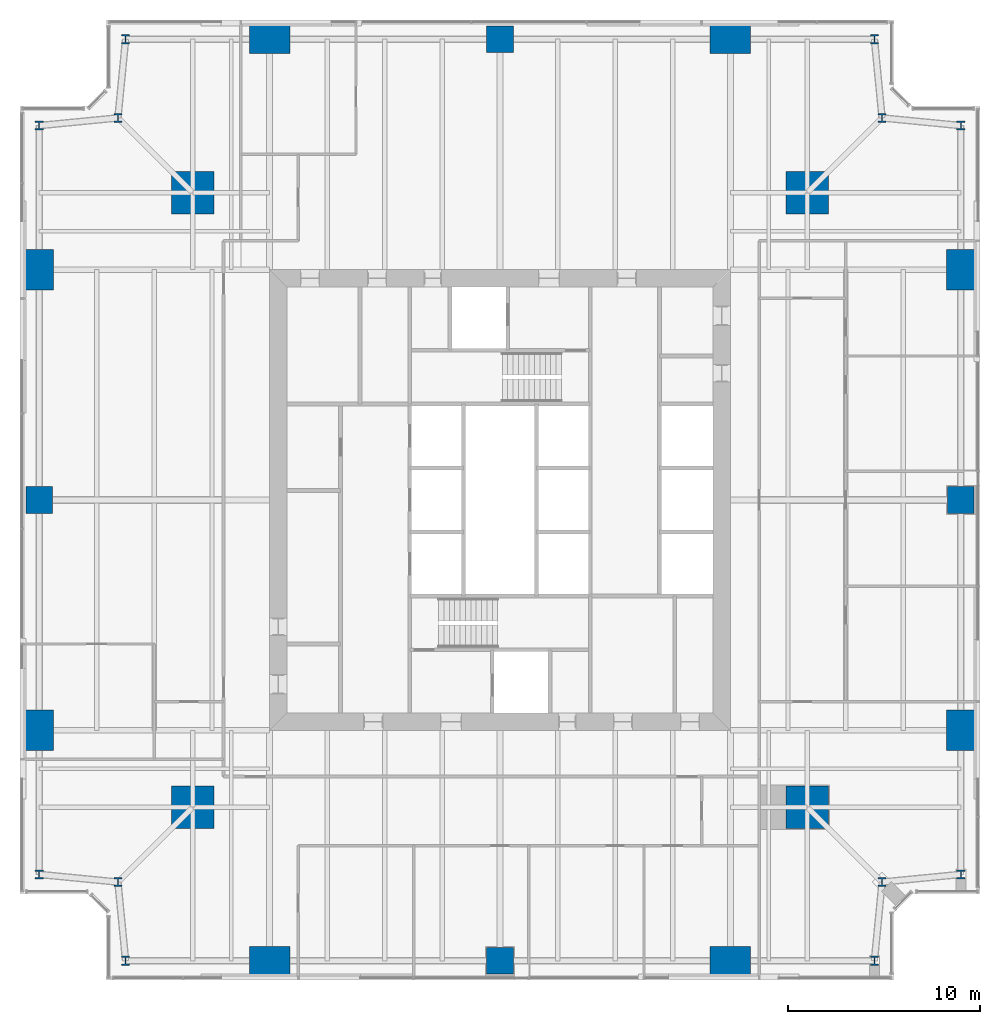
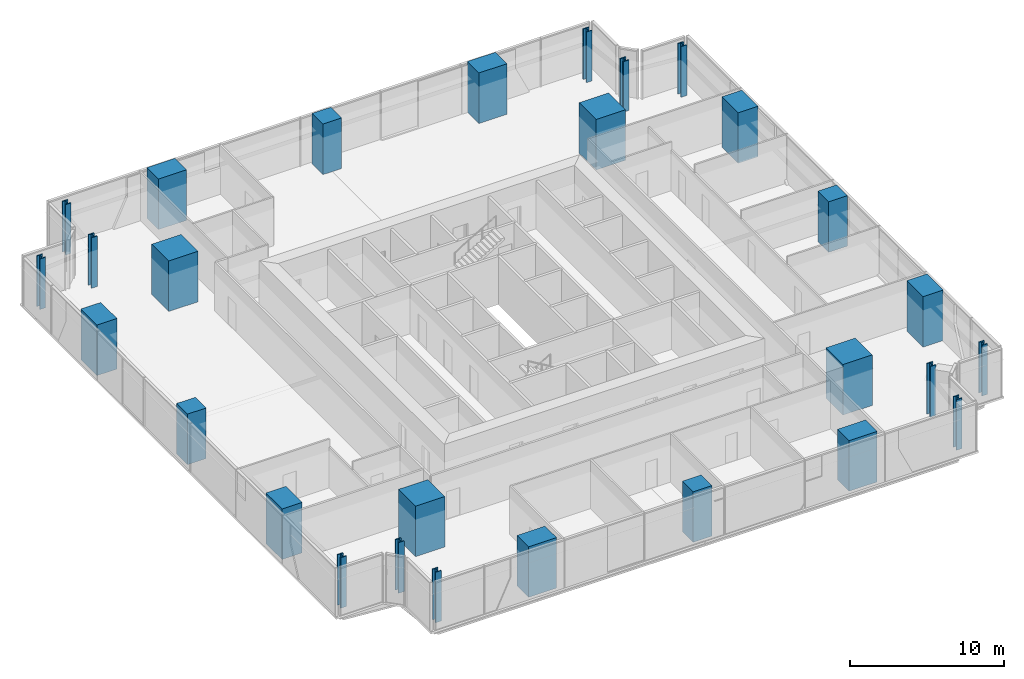
# One storey, part 1 of 13: 28 columns.
"""IFC4 building model written with IfcOpenShell, lengths in metres."""

from ifc_helpers import new_model, si_unit, direction, frame, origin, origin_2d, place, context, subcontext, project, spatial, rectangle, i_section, extrude, material, material_profile, profile_set, type_object, element, save


model = new_model("IFC4")

# Units and contexts
model_context = context("Model", 3, precision=1e-05, world=origin(), true_north=direction((0.0, 1.0)))
body_context = subcontext(model_context, "Body", "Model", "MODEL_VIEW")
ifc_project = project(units=[si_unit("LENGTHUNIT", "METRE"), si_unit("AREAUNIT", "SQUARE_METRE"), si_unit("VOLUMEUNIT", "CUBIC_METRE"), si_unit("PLANEANGLEUNIT", "RADIAN"), si_unit("MASSUNIT", "GRAM", prefix="KILO")], contexts=[model_context])

# Site, building, storey
site_placement = place(None, origin())
site = spatial("IfcSite", under=ifc_project, at=site_placement, CompositionType="ELEMENT")
building_placement = place(site_placement, origin())
building = spatial("IfcBuilding", under=site, at=building_placement, Name="Fenwick Lantern Interchange", CompositionType="ELEMENT")
storey_placement = place(building_placement, frame((0.0, 0.0, 126.39990234375)))
storey = spatial("IfcBuildingStorey", under=building, at=storey_placement, Name="L29", CompositionType="ELEMENT", Elevation=126.39990234375)

# Columns
ifc_material_1 = material(Name="Concrete f'c 70 MPa", Category="concrete")
ifc_material_profile_1 = material_profile(ifc_material_1, rectangle(XDim=2.199951171875, YDim=2.199951171875, at=origin_2d()), Name="RC2200X2200")
ifc_profile_set_1 = profile_set([ifc_material_profile_1], Name="Concrete f'c 70 MPa")
column_type_1 = type_object("IfcColumnType", Name="MEGA COLUMN RC2200X2200", PredefinedType="COLUMN", material=ifc_profile_set_1)
for number, where, z_axis, x_axis, name in (
    (1, (9.0, 9.0, 0.0), (0.0, 0.0, 1.0), (1.0, 0.0, 0.0), "L29/M1"),
    (2, (41.0, 9.0, 0.0), (0.0, 0.0, 1.0), (1.0, 0.0, 0.0), "L29/M2"),
    (3, (41.0, 41.0, 0.0), (0.0, 0.0, 1.0), (1.0, 0.0, 0.0), "L29/M3"),
    (4, (9.0, 41.0, 0.0), (0.0, 0.0, 1.0), (1.0, 0.0, 0.0), "L29/M4"),
):
    element("IfcColumn", number, at=place(storey_placement, frame(where, z_axis=z_axis, x_axis=x_axis)), inside=storey, type_object=column_type_1, Name=name, PredefinedType="COLUMN", context=body_context, shape_type="SweptSolid", body=[
        extrude(rectangle(XDim=2.199951171875, YDim=2.199951171875, at=origin_2d()), origin(), (0.0, 0.0, 1.0), 4.0),
    ])
ifc_material_profile_2 = material_profile(ifc_material_1, rectangle(XDim=1.39990234375, YDim=1.39990234375, at=origin_2d()), Name="RC1400X1400")
ifc_profile_set_2 = profile_set([ifc_material_profile_2], Name="Concrete f'c 70 MPa")
column_type_2 = type_object("IfcColumnType", Name="PERIMETER COLUMN RC1400X1400", PredefinedType="COLUMN", material=ifc_profile_set_2)
for number, where, z_axis, x_axis, name in (
    (5, (25.0, 1.0, 0.0), (0.0, 0.0, 1.0), (1.0, 0.0, 0.0), "L29/CS3"),
    (6, (49.0, 25.0, 0.0), (0.0, 0.0, 1.0), (1.0, 0.0, 0.0), "L29/CE3"),
    (7, (25.0, 49.0, 0.0), (0.0, 0.0, 1.0), (1.0, 0.0, 0.0), "L29/CN3"),
    (8, (1.0, 25.0, 0.0), (0.0, 0.0, 1.0), (1.0, 0.0, 0.0), "L29/CW3"),
):
    element("IfcColumn", number, at=place(storey_placement, frame(where, z_axis=z_axis, x_axis=x_axis)), inside=storey, type_object=column_type_2, Name=name, PredefinedType="COLUMN", context=body_context, shape_type="SweptSolid", body=[
        extrude(rectangle(XDim=1.39990234375, YDim=1.39990234375, at=origin_2d()), origin(), (0.0, 0.0, 1.0), 4.0),
    ])
ifc_material_profile_3 = material_profile(ifc_material_1, rectangle(XDim=1.5, YDim=2.10009765625, at=origin_2d()), Name="RC1500X2100")
ifc_profile_set_3 = profile_set([ifc_material_profile_3], Name="Concrete f'c 70 MPa")
column_type_3 = type_object("IfcColumnType", Name="PERIMETER COLUMN RC1500X2100", PredefinedType="COLUMN", material=ifc_profile_set_3)
for number, where, z_axis, x_axis, name in (
    (9, (49.0, 13.0, 0.0), (0.0, 0.0, 1.0), (1.0, 0.0, 0.0), "L29/CE2"),
    (10, (49.0, 37.0, 0.0), (0.0, 0.0, 1.0), (1.0, 0.0, 0.0), "L29/CE4"),
    (11, (1.0, 37.0, 0.0), (0.0, 0.0, 1.0), (1.0, 0.0, 0.0), "L29/CW2"),
    (12, (1.0, 13.0, 0.0), (0.0, 0.0, 1.0), (1.0, 0.0, 0.0), "L29/CW4"),
):
    element("IfcColumn", number, at=place(storey_placement, frame(where, z_axis=z_axis, x_axis=x_axis)), inside=storey, type_object=column_type_3, Name=name, PredefinedType="COLUMN", context=body_context, shape_type="SweptSolid", body=[
        extrude(rectangle(XDim=1.5, YDim=2.10009765625, at=origin_2d()), origin(), (0.0, 0.0, 1.0), 4.0),
    ])
ifc_material_profile_4 = material_profile(ifc_material_1, rectangle(XDim=2.10009765625, YDim=1.5, at=origin_2d()), Name="RC2100X1500")
ifc_profile_set_4 = profile_set([ifc_material_profile_4], Name="Concrete f'c 70 MPa")
column_type_4 = type_object("IfcColumnType", Name="PERIMETER COLUMN RC2100X1500", PredefinedType="COLUMN", material=ifc_profile_set_4)
for number, where, z_axis, x_axis, name in (
    (13, (13.0, 1.0, 0.0), (0.0, 0.0, 1.0), (1.0, 0.0, 0.0), "L29/CS2"),
    (14, (37.0, 1.0, 0.0), (0.0, 0.0, 1.0), (1.0, 0.0, 0.0), "L29/CS4"),
    (15, (37.0, 49.0, 0.0), (0.0, 0.0, 1.0), (1.0, 0.0, 0.0), "L29/CN2"),
    (16, (13.0, 49.0, 0.0), (0.0, 0.0, 1.0), (1.0, 0.0, 0.0), "L29/CN4"),
):
    element("IfcColumn", number, at=place(storey_placement, frame(where, z_axis=z_axis, x_axis=x_axis)), inside=storey, type_object=column_type_4, Name=name, PredefinedType="COLUMN", context=body_context, shape_type="SweptSolid", body=[
        extrude(rectangle(XDim=2.10009765625, YDim=1.5, at=origin_2d()), origin(), (0.0, 0.0, 1.0), 4.0),
    ])
ifc_material_2 = material(Name="Steel ASTM A992 Grade 50", Category="steel")
ifc_material_profile_5 = material_profile(ifc_material_2, i_section(OverallWidth=0.424072265625, OverallDepth=0.47509765625, WebThickness=0.0478515625, FlangeThickness=0.0771484375, at=origin_2d()), Name="W14X426")
ifc_profile_set_5 = profile_set([ifc_material_profile_5], Name="Steel ASTM A992 Grade 50")
column_type_5 = type_object("IfcColumnType", Name="PERIMETER COLUMN W14X426", PredefinedType="COLUMN", material=ifc_profile_set_5)
for number, where, z_axis, x_axis, name in (
    (17, (5.5, 1.0, 0.0), (0.0, 0.0, 1.0), (1.0, 0.0, 0.0), "L29/CS1"),
    (18, (44.5, 1.0, 0.0), (0.0, 0.0, 1.0), (1.0, 0.0, 0.0), "L29/CS5"),
    (19, (44.89990234375, 5.10009765625, 0.0), (0.0, 0.0, 1.0), (1.0, 0.0, 0.0), "L29/CSR"),
    (20, (49.0, 5.5, 0.0), (0.0, 0.0, 1.0), (1.0, 0.0, 0.0), "L29/CE1"),
    (21, (49.0, 44.5, 0.0), (0.0, 0.0, 1.0), (1.0, 0.0, 0.0), "L29/CE5"),
    (22, (44.89990234375, 44.89990234375, 0.0), (0.0, 0.0, 1.0), (1.0, 0.0, 0.0), "L29/CER"),
    (23, (44.5, 49.0, 0.0), (0.0, 0.0, 1.0), (1.0, 0.0, 0.0), "L29/CN1"),
    (24, (5.5, 49.0, 0.0), (0.0, 0.0, 1.0), (1.0, 0.0, 0.0), "L29/CN5"),
    (25, (5.10009765625, 44.89990234375, 0.0), (0.0, 0.0, 1.0), (1.0, 0.0, 0.0), "L29/CNR"),
    (26, (1.0, 44.5, 0.0), (0.0, 0.0, 1.0), (1.0, 0.0, 0.0), "L29/CW1"),
    (27, (1.0, 5.5, 0.0), (0.0, 0.0, 1.0), (1.0, 0.0, 0.0), "L29/CW5"),
    (28, (5.10009765625, 5.10009765625, 0.0), (0.0, 0.0, 1.0), (1.0, 0.0, 0.0), "L29/CWR"),
):
    element("IfcColumn", number, at=place(storey_placement, frame(where, z_axis=z_axis, x_axis=x_axis)), inside=storey, type_object=column_type_5, Name=name, PredefinedType="COLUMN", context=body_context, shape_type="SweptSolid", body=[
        extrude(i_section(OverallWidth=0.424072265625, OverallDepth=0.47509765625, WebThickness=0.0478515625, FlangeThickness=0.0771484375, at=origin_2d()), origin(), (0.0, 0.0, 1.0), 4.0),
    ])

save(model, "model.ifc")
